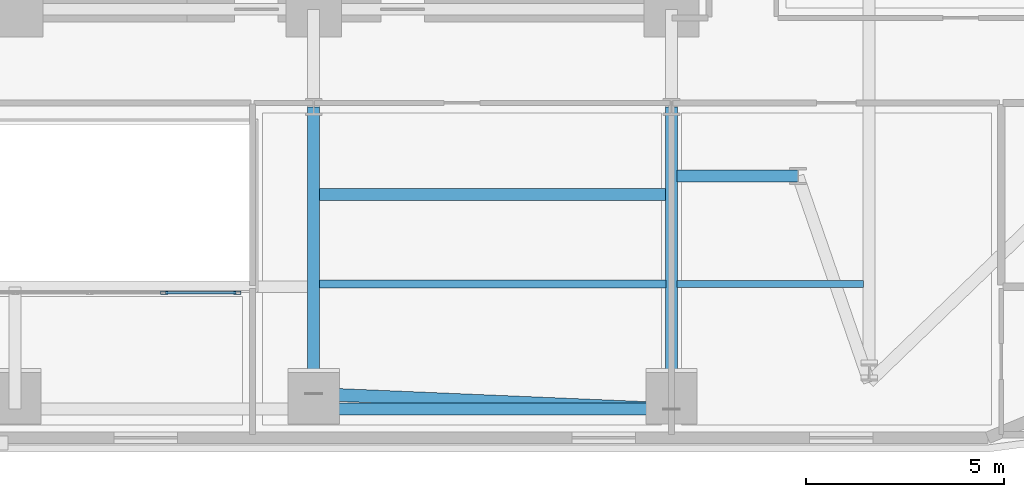
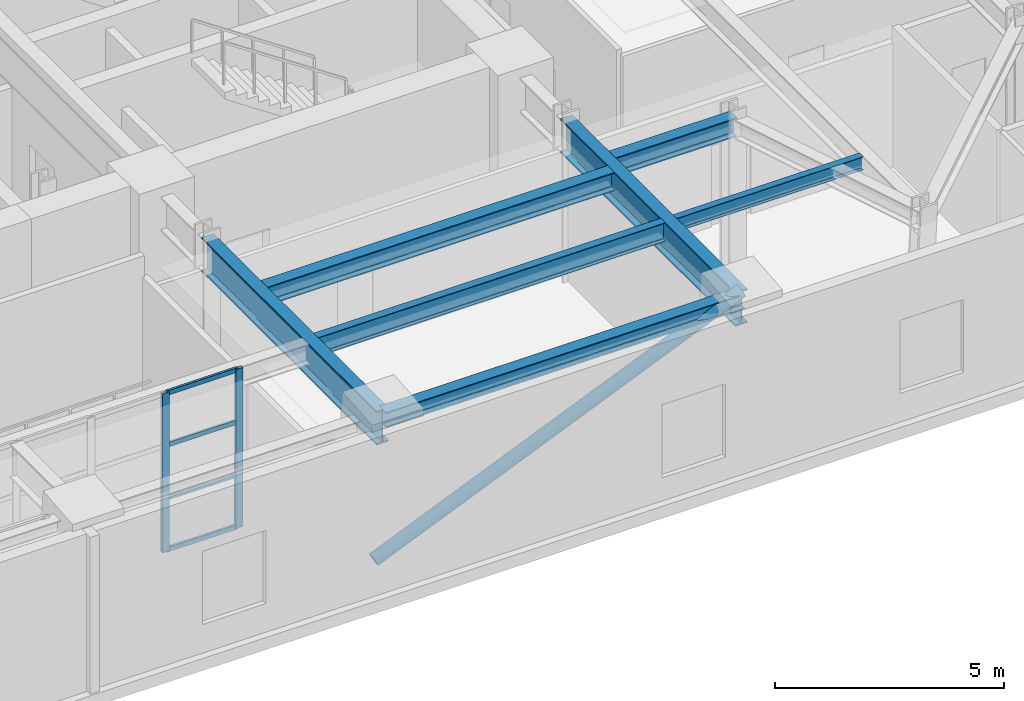
# One storey, part 5 of 14: 7 beams, 7 members, 1 element without a shape of its own.
"""IFC4 building model written with IfcOpenShell, lengths in metres."""

from ifc_helpers import new_model, si_unit, direction, frame, origin, origin_2d, place, context, subcontext, project, spatial, hollow_rectangle, hollow_circle, i_section, extrude, material, layer, layer_set, material_profile, profile_set, type_object, element, aggregate, save


model = new_model("IFC4")

# Units and contexts
model_context = context("Model", 3, precision=1e-05, world=origin(), true_north=direction((0.0, 1.0)))
body_context = subcontext(model_context, "Body", "Model", "MODEL_VIEW")
ifc_project = project(units=[si_unit("LENGTHUNIT", "METRE"), si_unit("AREAUNIT", "SQUARE_METRE"), si_unit("VOLUMEUNIT", "CUBIC_METRE"), si_unit("PLANEANGLEUNIT", "RADIAN"), si_unit("MASSUNIT", "GRAM", prefix="KILO")], contexts=[model_context])

# Site, building, storey
site_placement = place(None, origin())
site = spatial("IfcSite", under=ifc_project, at=site_placement, CompositionType="ELEMENT")
building_placement = place(site_placement, origin())
building = spatial("IfcBuilding", under=site, at=building_placement, Name="Zarnavel Station Tower", CompositionType="ELEMENT")
storey_placement = place(building_placement, frame((0.0, 0.0, 89.800048828125)))
storey = spatial("IfcBuildingStorey", under=building, at=storey_placement, Name="L24", CompositionType="ELEMENT", Elevation=89.800048828125)

# Curtain wall, members
ifc_material_1 = material(Name="Aluminium Dark Anodised and Solar-Control Glass", Category="aluminium")
ifc_layer = layer(ifc_material_1, 0.179931640625)
ifc_layer_set = layer_set([ifc_layer], Name="CWS3")
curtain_wall_type = type_object("IfcCurtainWallType", Name="CWS3", PredefinedType="NOTDEFINED", material=ifc_layer_set)
curtain_wall_placement = place(storey_placement, origin())
curtain_wall = element("IfcCurtainWall", 1, at=curtain_wall_placement, inside=storey, type_object=curtain_wall_type, Name="L24 Curtain Wall CWS3-L24-AS", PredefinedType="NOTDEFINED")
ifc_material_2 = material(Name="Steel S355J2 (Black Fluoropolymer Coated)", Category="steel")
ifc_material_profile_1 = material_profile(ifc_material_2, hollow_rectangle(XDim=0.080078125, YDim=0.179931640625, WallThickness=0.00634765625, at=origin_2d()), Name="RHS180x80x6.3")
ifc_profile_set_1 = profile_set([ifc_material_profile_1], Name="Steel S355J2 (Black Fluoropolymer Coated)")
member_type_1 = type_object("IfcMemberType", Name="CWS3_MUL", PredefinedType="MULLION", material=ifc_profile_set_1)
member_1_placement = place(storey_placement, frame((32.566650390625, 20.64990234375, 0.0), z_axis=(0.0, 0.0, 1.0), x_axis=(0.0, 1.0, 0.0)))
member_1 = element("IfcMember", 2, at=member_1_placement, type_object=member_type_1, Name="CW3 mullion 6", PredefinedType="MULLION", context=body_context, shape_type="SweptSolid", body=[
    extrude(hollow_rectangle(XDim=0.080078125, YDim=0.179931640625, WallThickness=0.00634765625, at=origin_2d()), origin(), (0.0, 0.0, 1.0), 4.239990234375),
])
member_2_placement = place(storey_placement, frame((34.419921875, 20.64990234375, 0.0), z_axis=(0.0, 0.0, 1.0), x_axis=(0.0, 1.0, 0.0)))
member_2 = element("IfcMember", 3, at=member_2_placement, type_object=member_type_1, Name="CW3 mullion 7", PredefinedType="MULLION", context=body_context, shape_type="SweptSolid", body=[
    extrude(hollow_rectangle(XDim=0.080078125, YDim=0.179931640625, WallThickness=0.00634765625, at=origin_2d()), origin(), (0.0, 0.0, 1.0), 4.239990234375),
])
ifc_material_3 = material(Name="Steel S355J2 (Black Fluoropolymer Coated)", Category="steel")
ifc_material_profile_2 = material_profile(ifc_material_3, hollow_rectangle(XDim=0.06005859375, YDim=0.1201171875, WallThickness=0.0048828125, at=origin_2d()), Name="RHS120x60x5")
ifc_profile_set_2 = profile_set([ifc_material_profile_2], Name="Steel S355J2 (Black Fluoropolymer Coated)")
member_type_2 = type_object("IfcMemberType", Name="CWS3_TRN", PredefinedType="USERDEFINED", material=ifc_profile_set_2)
member_3_placement = place(storey_placement, frame((32.5966796875, 20.64990234375, 0.030029296875), z_axis=(1.0, 0.0, 0.0), x_axis=(0.0, 1.0, 0.0)))
member_3 = element("IfcMember", 4, at=member_3_placement, type_object=member_type_2, Name="CW3 transom 6.1", ObjectType="TRANSOM", PredefinedType="USERDEFINED", context=body_context, shape_type="SweptSolid", body=[
    extrude(hollow_rectangle(XDim=0.06005859375, YDim=0.1201171875, WallThickness=0.0048828125, at=origin_2d()), origin(), (0.0, 0.0, 1.0), 1.793212890625),
])
member_4_placement = place(storey_placement, frame((32.5966796875, 20.64990234375, 1.413330078125), z_axis=(1.0, 0.0, 0.0), x_axis=(0.0, 1.0, 0.0)))
member_4 = element("IfcMember", 5, at=member_4_placement, type_object=member_type_2, Name="CW3 transom 6.2", ObjectType="TRANSOM", PredefinedType="USERDEFINED", context=body_context, shape_type="SweptSolid", body=[
    extrude(hollow_rectangle(XDim=0.06005859375, YDim=0.1201171875, WallThickness=0.0048828125, at=origin_2d()), origin(), (0.0, 0.0, 1.0), 1.793212890625),
])
member_5_placement = place(storey_placement, frame((32.5966796875, 20.64990234375, 2.82666015625), z_axis=(1.0, 0.0, 0.0), x_axis=(0.0, 1.0, 0.0)))
member_5 = element("IfcMember", 6, at=member_5_placement, type_object=member_type_2, Name="CW3 transom 6.3", ObjectType="TRANSOM", PredefinedType="USERDEFINED", context=body_context, shape_type="SweptSolid", body=[
    extrude(hollow_rectangle(XDim=0.06005859375, YDim=0.1201171875, WallThickness=0.0048828125, at=origin_2d()), origin(), (0.0, 0.0, 1.0), 1.793212890625),
])
member_6_placement = place(storey_placement, frame((32.5966796875, 20.64990234375, 4.2099609375), z_axis=(1.0, 0.0, 0.0), x_axis=(0.0, 1.0, 0.0)))
member_6 = element("IfcMember", 7, at=member_6_placement, type_object=member_type_2, Name="CW3 transom 6.4", ObjectType="TRANSOM", PredefinedType="USERDEFINED", context=body_context, shape_type="SweptSolid", body=[
    extrude(hollow_rectangle(XDim=0.06005859375, YDim=0.1201171875, WallThickness=0.0048828125, at=origin_2d()), origin(), (0.0, 0.0, 1.0), 1.793212890625),
])
aggregate(curtain_wall, [member_1, member_2, member_3, member_4, member_5, member_6])

# Member
ifc_material_4 = material(Name="Steel S355J2", Category="steel")
ifc_material_profile_3 = material_profile(ifc_material_4, hollow_circle(Radius=0.161865234375, WallThickness=0.012451171875, at=origin_2d()), Name="CHS323.9x12.5")
ifc_profile_set_3 = profile_set([ifc_material_profile_3], Name="Steel S355J2")
member_type_3 = type_object("IfcMemberType", Name="DB_EXT_CHS324", PredefinedType="BRACE", material=ifc_profile_set_3)
member_7_placement = place(storey_placement, frame((36.35009765625, 18.09033203125, 0.0), z_axis=(0.904871206962, -0.038423094846, 0.423947832397), x_axis=(0.042424271735, 0.999099685301, 0.0)))
element("IfcMember", 8, at=member_7_placement, inside=storey, type_object=member_type_3, Name="L24 Persian Exterior Diagonal Frame Brace 2", PredefinedType="BRACE", context=body_context, shape_type="SweptSolid", body=[
    extrude(hollow_circle(Radius=0.161865234375, WallThickness=0.012451171875, at=origin_2d()), origin(), (0.0, 0.0, 1.0), 10.001220703125),
])

# Beams
ifc_material_5 = material(Name="Steel S355J2", Category="steel")
ifc_material_profile_4 = material_profile(ifc_material_5, i_section(OverallWidth=0.300048828125, OverallDepth=0.39990234375, WebThickness=0.013427734375, FlangeThickness=0.02392578125, FilletRadius=0.027099609375, at=origin_2d()), Name="HEB400")
ifc_profile_set_4 = profile_set([ifc_material_profile_4], Name="Steel S355J2")
beam_type_1 = type_object("IfcBeamType", Name="EB_HEB400", PredefinedType="SPANDREL", material=ifc_profile_set_4)
beam_1_placement = place(storey_placement, frame((36.35009765625, 17.7060546875, 4.0400390625), z_axis=(1.0, 0.0, 0.0), x_axis=(0.0, 1.0, 0.0)))
element("IfcBeam", 9, at=beam_1_placement, inside=storey, type_object=beam_type_1, Name="L24 South Raked Spandrel 4", PredefinedType="SPANDREL", context=body_context, shape_type="SweptSolid", body=[
    extrude(i_section(OverallWidth=0.300048828125, OverallDepth=0.39990234375, WebThickness=0.013427734375, FlangeThickness=0.02392578125, FilletRadius=0.027099609375, at=origin_2d()), origin(), (0.0, 0.0, 1.0), 9.0498046875),
])
ifc_material_6 = material(Name="Steel S355J2", Category="steel")
ifc_material_profile_5 = material_profile(ifc_material_6, i_section(OverallWidth=0.300048828125, OverallDepth=0.489990234375, WebThickness=0.011962890625, FlangeThickness=0.02294921875, FilletRadius=0.027099609375, at=origin_2d()), Name="HEA500")
ifc_profile_set_5 = profile_set([ifc_material_profile_5], Name="Steel S355J2")
beam_type_2 = type_object("IfcBeamType", Name="FB_HEA500", PredefinedType="BEAM", material=ifc_profile_set_5)
beam_2_placement = place(storey_placement, frame((36.4951171875, 23.135498046875, 3.994873046875), z_axis=(1.0, 0.0, 0.0), x_axis=(0.0, 1.0, 0.0)))
element("IfcBeam", 10, at=beam_2_placement, inside=storey, type_object=beam_type_2, Name="L24 East Bay Beam 2", PredefinedType="BEAM", context=body_context, shape_type="SweptSolid", body=[
    extrude(i_section(OverallWidth=0.300048828125, OverallDepth=0.489990234375, WebThickness=0.011962890625, FlangeThickness=0.02294921875, FilletRadius=0.027099609375, at=origin_2d()), origin(), (0.0, 0.0, 1.0), 8.759765625),
])
ifc_material_7 = material(Name="Steel S355J2", Category="steel")
ifc_material_profile_6 = material_profile(ifc_material_7, i_section(OverallWidth=0.199951171875, OverallDepth=0.5, WebThickness=0.01025390625, FlangeThickness=0.01611328125, FilletRadius=0.02099609375, at=origin_2d()), Name="IPE500")
ifc_profile_set_6 = profile_set([ifc_material_profile_6], Name="Steel S355J2")
beam_type_3 = type_object("IfcBeamType", Name="FB_IPE500", PredefinedType="BEAM", material=ifc_profile_set_6)
beam_3_placement = place(storey_placement, frame((36.4951171875, 20.87060546875, 3.989990234375), z_axis=(1.0, 0.0, 0.0), x_axis=(0.0, 1.0, 0.0)))
element("IfcBeam", 11, at=beam_3_placement, inside=storey, type_object=beam_type_3, Name="L24 East Bay Beam 1", PredefinedType="BEAM", context=body_context, shape_type="SweptSolid", body=[
    extrude(i_section(OverallWidth=0.199951171875, OverallDepth=0.5, WebThickness=0.01025390625, FlangeThickness=0.01611328125, FilletRadius=0.02099609375, at=origin_2d()), origin(), (0.0, 0.0, 1.0), 8.759765625),
])
ifc_material_8 = material(Name="Steel S355J2", Category="steel")
ifc_material_profile_7 = material_profile(ifc_material_8, i_section(OverallWidth=0.300048828125, OverallDepth=0.5, WebThickness=0.014404296875, FlangeThickness=0.028076171875, FilletRadius=0.027099609375, at=origin_2d()), Name="HEB500")
ifc_profile_set_7 = profile_set([ifc_material_profile_7], Name="Steel S355J2")
beam_type_4 = type_object("IfcBeamType", Name="FG_HEB500", PredefinedType="USERDEFINED", material=ifc_profile_set_7)
beam_4_placement = place(storey_placement, frame((45.544921875, 23.60009765625, 3.989990234375), z_axis=(1.0, 0.0, 0.0), x_axis=(0.0, 1.0, 0.0)))
element("IfcBeam", 12, at=beam_4_placement, inside=storey, type_object=beam_type_4, Name="L24 East Wing South Tie 1", ObjectType="GIRDER", PredefinedType="USERDEFINED", context=body_context, shape_type="SweptSolid", body=[
    extrude(i_section(OverallWidth=0.300048828125, OverallDepth=0.5, WebThickness=0.014404296875, FlangeThickness=0.028076171875, FilletRadius=0.027099609375, at=origin_2d()), origin(), (0.0, 0.0, 1.0), 3.05517578125),
])
ifc_material_9 = material(Name="Steel S355J2", Category="steel")
ifc_material_profile_8 = material_profile(ifc_material_9, i_section(OverallWidth=0.169921875, OverallDepth=0.360107421875, WebThickness=0.008056640625, FlangeThickness=0.0126953125, FilletRadius=0.01806640625, at=origin_2d()), Name="IPE360")
ifc_profile_set_8 = profile_set([ifc_material_profile_8], Name="Steel S355J2")
beam_type_5 = type_object("IfcBeamType", Name="FJ_IPE360", PredefinedType="JOIST", material=ifc_profile_set_8)
beam_5_placement = place(storey_placement, frame((45.544921875, 20.87060546875, 4.06005859375), z_axis=(1.0, 0.0, 0.0), x_axis=(0.0, 1.0, 0.0)))
element("IfcBeam", 13, at=beam_5_placement, inside=storey, type_object=beam_type_5, Name="L24 East Wing Joist 1", PredefinedType="JOIST", context=body_context, shape_type="SweptSolid", body=[
    extrude(i_section(OverallWidth=0.169921875, OverallDepth=0.360107421875, WebThickness=0.008056640625, FlangeThickness=0.0126953125, FilletRadius=0.01806640625, at=origin_2d()), origin(), (0.0, 0.0, 1.0), 4.7099609375),
])
ifc_material_10 = material(Name="Steel S460M", Category="steel")
ifc_material_profile_9 = material_profile(ifc_material_10, i_section(OverallWidth=0.302001953125, OverallDepth=0.909912109375, WebThickness=0.02099609375, FlangeThickness=0.0400390625, FilletRadius=0.030029296875, at=origin_2d()), Name="HEM900")
ifc_profile_set_9 = profile_set([ifc_material_profile_9], Name="Steel S460M")
beam_type_6 = type_object("IfcBeamType", Name="TG_HEM900", PredefinedType="USERDEFINED", material=ifc_profile_set_9)
for number, where, z_axis, x_axis, name in (
    (14, (36.35009765625, 17.7060546875, 3.784912109375), (0.0, 1.0, 0.0), (-1.0, 0.0, 0.0), "L24 South-Zone NS Girder 4"),
    (15, (45.39990234375, 17.7060546875, 3.784912109375), (0.0, 1.0, 0.0), (-1.0, 0.0, 0.0), "L24 South-Zone NS Girder 5"),
):
    element("IfcBeam", number, at=place(storey_placement, frame(where, z_axis=z_axis, x_axis=x_axis)), inside=storey, type_object=beam_type_6, Name=name, ObjectType="GIRDER", PredefinedType="USERDEFINED", context=body_context, shape_type="SweptSolid", body=[
        extrude(i_section(OverallWidth=0.302001953125, OverallDepth=0.909912109375, WebThickness=0.02099609375, FlangeThickness=0.0400390625, FilletRadius=0.030029296875, at=origin_2d()), origin(), (0.0, 0.0, 1.0), 7.64404296875),
    ])

save(model, "model.ifc")
